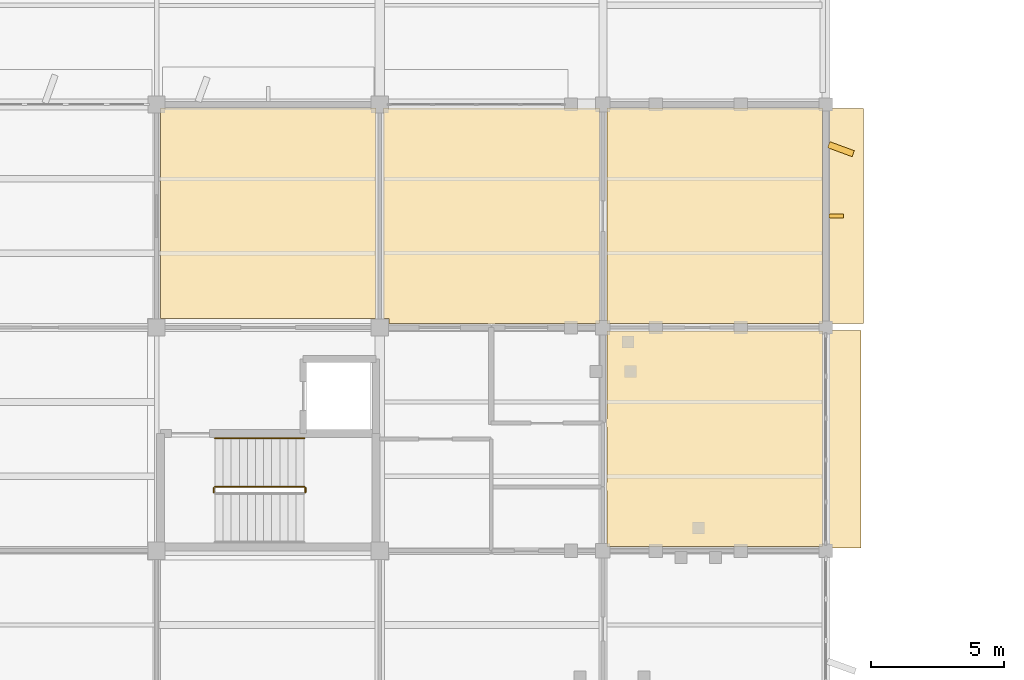
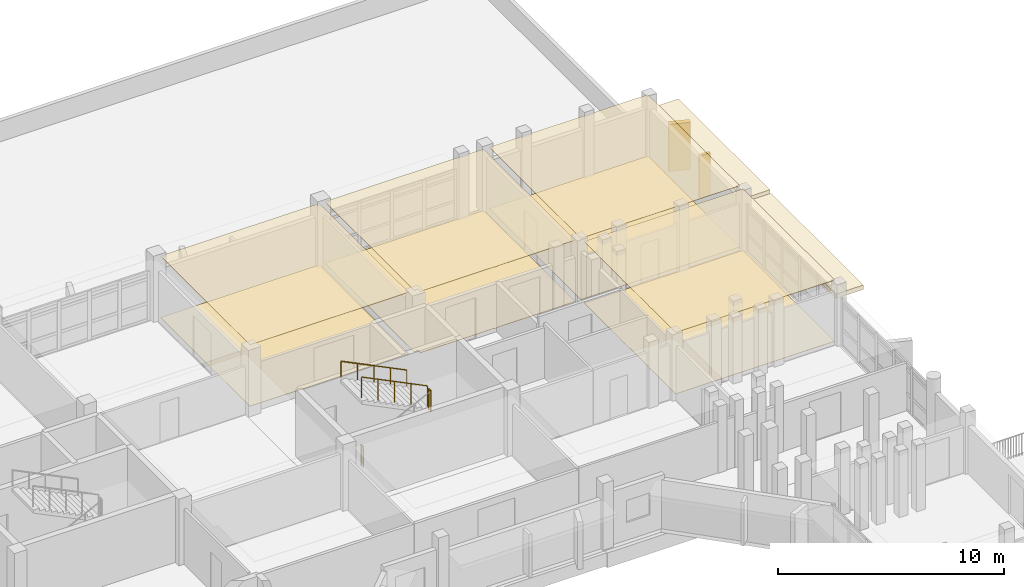
# One storey, part 89 of 92: 11 coverings, 4 railings, 1 shading device.
"""IFC4 building model written with IfcOpenShell, lengths in metres."""

from ifc_helpers import new_model, si_unit, direction, frame, origin, origin_2d, place, context, subcontext, project, spatial, polyline, rectangle, circle, outline, extrude, material, layer, layer_set, type_object, element, save


model = new_model("IFC4")

# Units and contexts
model_context = context("Model", 3, precision=1e-05, world=origin(), true_north=direction((0.0, 1.0)))
body_context = subcontext(model_context, "Body", "Model", "MODEL_VIEW")
ifc_project = project(units=[si_unit("LENGTHUNIT", "METRE"), si_unit("AREAUNIT", "SQUARE_METRE"), si_unit("VOLUMEUNIT", "CUBIC_METRE"), si_unit("PLANEANGLEUNIT", "RADIAN"), si_unit("MASSUNIT", "GRAM", prefix="KILO")], contexts=[model_context])

# Site, building, storey
site_placement = place(None, origin())
site = spatial("IfcSite", under=ifc_project, at=site_placement, CompositionType="ELEMENT")
building_placement = place(site_placement, origin())
building = spatial("IfcBuilding", under=site, at=building_placement, Name="Vanh Quang Courtyard School", CompositionType="ELEMENT")
storey_placement = place(building_placement, frame((0.0, 0.0, 7.800048828125)))
storey = spatial("IfcBuildingStorey", under=building, at=storey_placement, Name="L02", CompositionType="ELEMENT", Elevation=7.800048828125)

# Coverings
ifc_material_1 = material(Name="Perforated mineral-fibre acoustic ceiling board")
ifc_layer_1 = layer(ifc_material_1, 0.02490234375)
ifc_layer_set_1 = layer_set([ifc_layer_1], Name="Perforated mineral-fibre acoustic ceiling board")
covering_type_1 = type_object("IfcCoveringType", Name="COV-CEIL-ACOUSTIC", PredefinedType="CEILING", material=ifc_layer_set_1)
covering_1_placement = place(storey_placement, frame((0.0, 0.0, 3.31494140625)))
element("IfcCovering", 1, at=covering_1_placement, inside=storey, type_object=covering_type_1, Name="Covering CV-CL1 (L02)", PredefinedType="CEILING", context=body_context, shape_type="SweptSolid", body=[
    extrude(outline(polyline([(94.35009765625, 96.4599609375), (94.35009765625, 96.4609375), (94.35009765625, 96.4619140625), (94.350341796875, 96.462890625), (94.350830078125, 96.4638671875), (94.351318359375, 96.464599609375), (94.351806640625, 96.465576171875), (94.352294921875, 96.46630859375), (94.352783203125, 96.467041015625), (94.353759765625, 96.4677734375), (94.3544921875, 96.46826171875), (94.355224609375, 96.46875), (94.356201171875, 96.46923828125), (94.357177734375, 96.469482421875), (94.35791015625, 96.4697265625), (94.35888671875, 96.469970703125), (94.360107421875, 96.469970703125), (102.4599609375, 96.469970703125), (102.4609375, 96.469970703125), (102.4619140625, 96.4697265625), (102.462890625, 96.469482421875), (102.4638671875, 96.46923828125), (102.464599609375, 96.46875), (102.465576171875, 96.46826171875), (102.46630859375, 96.4677734375), (102.467041015625, 96.467041015625), (102.4677734375, 96.46630859375), (102.46826171875, 96.465576171875), (102.46875, 96.464599609375), (102.46923828125, 96.4638671875), (102.469482421875, 96.462890625), (102.4697265625, 96.4619140625), (102.469970703125, 96.4609375), (102.469970703125, 96.4599609375), (102.469970703125, 88.550048828125), (94.34912109375, 88.550048828125), (94.35009765625, 96.4599609375)])), origin(), (0.0, 0.0, 1.0), 0.02490234375),
])
covering_2_placement = place(storey_placement, frame((0.0, 0.0, 3.31494140625)))
element("IfcCovering", 2, at=covering_2_placement, inside=storey, type_object=covering_type_1, Name="Covering CV-CL1 (L02)", PredefinedType="CEILING", context=body_context, shape_type="SweptSolid", body=[
    extrude(outline(polyline([(102.949951171875, 88.35009765625), (102.949951171875, 88.550048828125), (102.75, 88.550048828125), (102.75, 96.4599609375), (102.75, 96.4609375), (102.750244140625, 96.4619140625), (102.75048828125, 96.462890625), (102.750732421875, 96.4638671875), (102.751220703125, 96.464599609375), (102.751708984375, 96.465576171875), (102.752197265625, 96.46630859375), (102.7529296875, 96.467041015625), (102.753662109375, 96.4677734375), (102.75439453125, 96.46826171875), (102.75537109375, 96.46875), (102.756103515625, 96.46923828125), (102.757080078125, 96.469482421875), (102.758056640625, 96.4697265625), (102.759033203125, 96.469970703125), (102.760009765625, 96.469970703125), (110.860107421875, 96.469970703125), (110.861083984375, 96.469970703125), (110.862060546875, 96.4697265625), (110.86279296875, 96.469482421875), (110.86376953125, 96.46923828125), (110.86474609375, 96.46875), (110.865478515625, 96.46826171875), (110.8662109375, 96.4677734375), (110.8671875, 96.467041015625), (110.86767578125, 96.46630859375), (110.868408203125, 96.465576171875), (110.868896484375, 96.464599609375), (110.869140625, 96.4638671875), (110.86962890625, 96.462890625), (110.869873046875, 96.4619140625), (110.8701171875, 96.4609375), (110.8701171875, 96.4599609375), (110.8701171875, 88.360107421875), (110.8701171875, 88.35888671875), (110.869873046875, 88.35791015625), (110.86962890625, 88.357177734375), (110.869140625, 88.356201171875), (110.868896484375, 88.355224609375), (110.868408203125, 88.3544921875), (110.86767578125, 88.353759765625), (110.8671875, 88.352783203125), (110.8662109375, 88.352294921875), (110.865478515625, 88.351806640625), (110.86474609375, 88.351318359375), (110.86376953125, 88.350830078125), (110.86279296875, 88.350341796875), (110.862060546875, 88.35009765625), (110.861083984375, 88.35009765625), (110.860107421875, 88.35009765625), (106.9609375, 88.35009765625), (106.8544921875, 88.330078125), (106.853515625, 88.330078125), (106.8525390625, 88.330078125), (106.767333984375, 88.330078125), (106.7666015625, 88.330078125), (106.765625, 88.330078125), (106.6591796875, 88.35009765625), (102.949951171875, 88.35009765625)])), origin(), (0.0, 0.0, 1.0), 0.02490234375),
])
covering_3_placement = place(storey_placement, frame((0.0, 0.0, 3.31494140625)))
element("IfcCovering", 3, at=covering_3_placement, inside=storey, type_object=covering_type_1, Name="Covering CV-CL1 (L02)", PredefinedType="CEILING", context=body_context, shape_type="SweptSolid", body=[
    extrude(outline(polyline([(111.159912109375, 79.949951171875), (111.158935546875, 79.949951171875), (111.157958984375, 79.9501953125), (111.156982421875, 79.950439453125), (111.15625, 79.95068359375), (111.1552734375, 79.951171875), (111.154296875, 79.95166015625), (111.15380859375, 79.952392578125), (111.15283203125, 79.952880859375), (111.15234375, 79.95361328125), (111.151611328125, 79.954345703125), (111.151123046875, 79.955322265625), (111.15087890625, 79.956298828125), (111.150390625, 79.95703125), (111.150146484375, 79.9580078125), (111.14990234375, 79.958984375), (111.14990234375, 79.9599609375), (111.14990234375, 82.05908203125), (111.130126953125, 82.16552734375), (111.1298828125, 82.16650390625), (111.1298828125, 82.16748046875), (111.1298828125, 82.252685546875), (111.1298828125, 82.25341796875), (111.130126953125, 82.25439453125), (111.14990234375, 82.36083984375), (111.14990234375, 84.458984375), (111.130126953125, 84.565673828125), (111.1298828125, 84.56640625), (111.1298828125, 84.5673828125), (111.1298828125, 84.652587890625), (111.1298828125, 84.653564453125), (111.130126953125, 84.654296875), (111.14990234375, 84.760986328125), (111.14990234375, 88.06005859375), (111.14990234375, 88.06103515625), (111.150146484375, 88.06201171875), (111.150390625, 88.06298828125), (111.15087890625, 88.063720703125), (111.151123046875, 88.064697265625), (111.151611328125, 88.065673828125), (111.15234375, 88.06640625), (111.15283203125, 88.067138671875), (111.15380859375, 88.067626953125), (111.154296875, 88.068359375), (111.1552734375, 88.06884765625), (111.15625, 88.069091796875), (111.156982421875, 88.069580078125), (111.157958984375, 88.06982421875), (111.158935546875, 88.070068359375), (111.159912109375, 88.070068359375), (119.260009765625, 88.070068359375), (119.260986328125, 88.070068359375), (119.261962890625, 88.06982421875), (119.262939453125, 88.069580078125), (119.263916015625, 88.069091796875), (119.2646484375, 88.06884765625), (119.265625, 88.068359375), (119.266357421875, 88.067626953125), (119.26708984375, 88.067138671875), (119.267578125, 88.06640625), (119.268310546875, 88.065673828125), (119.268798828125, 88.064697265625), (119.269287109375, 88.063720703125), (119.26953125, 88.06298828125), (119.269775390625, 88.06201171875), (119.27001953125, 88.06103515625), (119.27001953125, 88.06005859375), (119.27001953125, 79.9599609375), (119.27001953125, 79.958984375), (119.269775390625, 79.9580078125), (119.26953125, 79.95703125), (119.269287109375, 79.956298828125), (119.268798828125, 79.955322265625), (119.268310546875, 79.954345703125), (119.267578125, 79.95361328125), (119.26708984375, 79.952880859375), (119.266357421875, 79.952392578125), (119.265625, 79.95166015625), (119.2646484375, 79.951171875), (119.263916015625, 79.95068359375), (119.262939453125, 79.950439453125), (119.261962890625, 79.9501953125), (119.260986328125, 79.949951171875), (119.260009765625, 79.949951171875), (111.159912109375, 79.949951171875)])), origin(), (0.0, 0.0, 1.0), 0.02490234375),
])
covering_4_placement = place(storey_placement, frame((0.0, 0.0, 3.31494140625)))
element("IfcCovering", 4, at=covering_4_placement, inside=storey, type_object=covering_type_1, Name="Covering CV-CL1 (L02)", PredefinedType="CEILING", context=body_context, shape_type="SweptSolid", body=[
    extrude(outline(polyline([(111.159912109375, 88.35009765625), (111.158935546875, 88.35009765625), (111.157958984375, 88.35009765625), (111.156982421875, 88.350341796875), (111.15625, 88.350830078125), (111.1552734375, 88.351318359375), (111.154296875, 88.351806640625), (111.15380859375, 88.352294921875), (111.15283203125, 88.352783203125), (111.15234375, 88.353759765625), (111.151611328125, 88.3544921875), (111.151123046875, 88.355224609375), (111.15087890625, 88.356201171875), (111.150390625, 88.357177734375), (111.150146484375, 88.35791015625), (111.14990234375, 88.35888671875), (111.14990234375, 88.360107421875), (111.14990234375, 96.4599609375), (111.14990234375, 96.4609375), (111.150146484375, 96.4619140625), (111.150390625, 96.462890625), (111.15087890625, 96.4638671875), (111.151123046875, 96.464599609375), (111.151611328125, 96.465576171875), (111.15234375, 96.46630859375), (111.15283203125, 96.467041015625), (111.15380859375, 96.4677734375), (111.154296875, 96.46826171875), (111.1552734375, 96.46875), (111.15625, 96.46923828125), (111.156982421875, 96.469482421875), (111.157958984375, 96.4697265625), (111.158935546875, 96.469970703125), (111.159912109375, 96.469970703125), (119.260009765625, 96.469970703125), (119.260986328125, 96.469970703125), (119.261962890625, 96.4697265625), (119.262939453125, 96.469482421875), (119.263916015625, 96.46923828125), (119.2646484375, 96.46875), (119.265625, 96.46826171875), (119.266357421875, 96.4677734375), (119.26708984375, 96.467041015625), (119.267578125, 96.46630859375), (119.268310546875, 96.465576171875), (119.268798828125, 96.464599609375), (119.269287109375, 96.4638671875), (119.26953125, 96.462890625), (119.269775390625, 96.4619140625), (119.27001953125, 96.4609375), (119.27001953125, 96.4599609375), (119.27001953125, 88.360107421875), (119.27001953125, 88.35888671875), (119.269775390625, 88.35791015625), (119.26953125, 88.357177734375), (119.269287109375, 88.356201171875), (119.268798828125, 88.355224609375), (119.268310546875, 88.3544921875), (119.267578125, 88.353759765625), (119.26708984375, 88.352783203125), (119.266357421875, 88.352294921875), (119.265625, 88.351806640625), (119.2646484375, 88.351318359375), (119.263916015625, 88.350830078125), (119.262939453125, 88.350341796875), (119.261962890625, 88.35009765625), (119.260986328125, 88.35009765625), (119.260009765625, 88.35009765625), (111.159912109375, 88.35009765625)])), origin(), (0.0, 0.0, 1.0), 0.02490234375),
])
ifc_material_2 = material(Name="Polished cementitious terrazzo tile", Category="concrete")
ifc_layer_2 = layer(ifc_material_2, 0.02001953125)
ifc_layer_set_2 = layer_set([ifc_layer_2], Name="Polished cementitious terrazzo tile")
covering_type_2 = type_object("IfcCoveringType", Name="COV-FLR-TERRAZZO", PredefinedType="FLOORING", material=ifc_layer_set_2)
covering_5_placement = place(storey_placement, origin())
element("IfcCovering", 5, at=covering_5_placement, inside=storey, type_object=covering_type_2, Name="Covering CV-FL1 (L02)", PredefinedType="FLOORING", context=body_context, shape_type="SweptSolid", body=[
    extrude(outline(polyline([(94.35009765625, 96.4599609375), (94.35009765625, 96.4609375), (94.35009765625, 96.4619140625), (94.350341796875, 96.462890625), (94.350830078125, 96.4638671875), (94.351318359375, 96.464599609375), (94.351806640625, 96.465576171875), (94.352294921875, 96.46630859375), (94.352783203125, 96.467041015625), (94.353759765625, 96.4677734375), (94.3544921875, 96.46826171875), (94.355224609375, 96.46875), (94.356201171875, 96.46923828125), (94.357177734375, 96.469482421875), (94.35791015625, 96.4697265625), (94.35888671875, 96.469970703125), (94.360107421875, 96.469970703125), (102.4599609375, 96.469970703125), (102.4609375, 96.469970703125), (102.4619140625, 96.4697265625), (102.462890625, 96.469482421875), (102.4638671875, 96.46923828125), (102.464599609375, 96.46875), (102.465576171875, 96.46826171875), (102.46630859375, 96.4677734375), (102.467041015625, 96.467041015625), (102.4677734375, 96.46630859375), (102.46826171875, 96.465576171875), (102.46875, 96.464599609375), (102.46923828125, 96.4638671875), (102.469482421875, 96.462890625), (102.4697265625, 96.4619140625), (102.469970703125, 96.4609375), (102.469970703125, 96.4599609375), (102.469970703125, 88.550048828125), (94.34912109375, 88.550048828125), (94.35009765625, 96.4599609375)])), origin(), (0.0, 0.0, 1.0), 0.02001953125),
])
covering_6_placement = place(storey_placement, origin())
element("IfcCovering", 6, at=covering_6_placement, inside=storey, type_object=covering_type_2, Name="Covering CV-FL1 (L02)", PredefinedType="FLOORING", context=body_context, shape_type="SweptSolid", body=[
    extrude(outline(polyline([(102.949951171875, 88.35009765625), (102.949951171875, 88.550048828125), (102.75, 88.550048828125), (102.75, 96.4599609375), (102.75, 96.4609375), (102.750244140625, 96.4619140625), (102.75048828125, 96.462890625), (102.750732421875, 96.4638671875), (102.751220703125, 96.464599609375), (102.751708984375, 96.465576171875), (102.752197265625, 96.46630859375), (102.7529296875, 96.467041015625), (102.753662109375, 96.4677734375), (102.75439453125, 96.46826171875), (102.75537109375, 96.46875), (102.756103515625, 96.46923828125), (102.757080078125, 96.469482421875), (102.758056640625, 96.4697265625), (102.759033203125, 96.469970703125), (102.760009765625, 96.469970703125), (110.860107421875, 96.469970703125), (110.861083984375, 96.469970703125), (110.862060546875, 96.4697265625), (110.86279296875, 96.469482421875), (110.86376953125, 96.46923828125), (110.86474609375, 96.46875), (110.865478515625, 96.46826171875), (110.8662109375, 96.4677734375), (110.8671875, 96.467041015625), (110.86767578125, 96.46630859375), (110.868408203125, 96.465576171875), (110.868896484375, 96.464599609375), (110.869140625, 96.4638671875), (110.86962890625, 96.462890625), (110.869873046875, 96.4619140625), (110.8701171875, 96.4609375), (110.8701171875, 96.4599609375), (110.8701171875, 88.360107421875), (110.8701171875, 88.35888671875), (110.869873046875, 88.35791015625), (110.86962890625, 88.357177734375), (110.869140625, 88.356201171875), (110.868896484375, 88.355224609375), (110.868408203125, 88.3544921875), (110.86767578125, 88.353759765625), (110.8671875, 88.352783203125), (110.8662109375, 88.352294921875), (110.865478515625, 88.351806640625), (110.86474609375, 88.351318359375), (110.86376953125, 88.350830078125), (110.86279296875, 88.350341796875), (110.862060546875, 88.35009765625), (110.861083984375, 88.35009765625), (110.860107421875, 88.35009765625), (106.9609375, 88.35009765625), (106.8544921875, 88.330078125), (106.853515625, 88.330078125), (106.8525390625, 88.330078125), (106.767333984375, 88.330078125), (106.7666015625, 88.330078125), (106.765625, 88.330078125), (106.6591796875, 88.35009765625), (102.949951171875, 88.35009765625)])), origin(), (0.0, 0.0, 1.0), 0.02001953125),
])
covering_7_placement = place(storey_placement, origin())
element("IfcCovering", 7, at=covering_7_placement, inside=storey, type_object=covering_type_2, Name="Covering CV-FL1 (L02)", PredefinedType="FLOORING", context=body_context, shape_type="SweptSolid", body=[
    extrude(outline(polyline([(111.159912109375, 79.949951171875), (111.158935546875, 79.949951171875), (111.157958984375, 79.9501953125), (111.156982421875, 79.950439453125), (111.15625, 79.95068359375), (111.1552734375, 79.951171875), (111.154296875, 79.95166015625), (111.15380859375, 79.952392578125), (111.15283203125, 79.952880859375), (111.15234375, 79.95361328125), (111.151611328125, 79.954345703125), (111.151123046875, 79.955322265625), (111.15087890625, 79.956298828125), (111.150390625, 79.95703125), (111.150146484375, 79.9580078125), (111.14990234375, 79.958984375), (111.14990234375, 79.9599609375), (111.14990234375, 82.05908203125), (111.130126953125, 82.16552734375), (111.1298828125, 82.16650390625), (111.1298828125, 82.16748046875), (111.1298828125, 82.252685546875), (111.1298828125, 82.25341796875), (111.130126953125, 82.25439453125), (111.14990234375, 82.36083984375), (111.14990234375, 84.458984375), (111.130126953125, 84.565673828125), (111.1298828125, 84.56640625), (111.1298828125, 84.5673828125), (111.1298828125, 84.652587890625), (111.1298828125, 84.653564453125), (111.130126953125, 84.654296875), (111.14990234375, 84.760986328125), (111.14990234375, 88.06005859375), (111.14990234375, 88.06103515625), (111.150146484375, 88.06201171875), (111.150390625, 88.06298828125), (111.15087890625, 88.063720703125), (111.151123046875, 88.064697265625), (111.151611328125, 88.065673828125), (111.15234375, 88.06640625), (111.15283203125, 88.067138671875), (111.15380859375, 88.067626953125), (111.154296875, 88.068359375), (111.1552734375, 88.06884765625), (111.15625, 88.069091796875), (111.156982421875, 88.069580078125), (111.157958984375, 88.06982421875), (111.158935546875, 88.070068359375), (111.159912109375, 88.070068359375), (119.260009765625, 88.070068359375), (119.260986328125, 88.070068359375), (119.261962890625, 88.06982421875), (119.262939453125, 88.069580078125), (119.263916015625, 88.069091796875), (119.2646484375, 88.06884765625), (119.265625, 88.068359375), (119.266357421875, 88.067626953125), (119.26708984375, 88.067138671875), (119.267578125, 88.06640625), (119.268310546875, 88.065673828125), (119.268798828125, 88.064697265625), (119.269287109375, 88.063720703125), (119.26953125, 88.06298828125), (119.269775390625, 88.06201171875), (119.27001953125, 88.06103515625), (119.27001953125, 88.06005859375), (119.27001953125, 79.9599609375), (119.27001953125, 79.958984375), (119.269775390625, 79.9580078125), (119.26953125, 79.95703125), (119.269287109375, 79.956298828125), (119.268798828125, 79.955322265625), (119.268310546875, 79.954345703125), (119.267578125, 79.95361328125), (119.26708984375, 79.952880859375), (119.266357421875, 79.952392578125), (119.265625, 79.95166015625), (119.2646484375, 79.951171875), (119.263916015625, 79.95068359375), (119.262939453125, 79.950439453125), (119.261962890625, 79.9501953125), (119.260986328125, 79.949951171875), (119.260009765625, 79.949951171875), (111.159912109375, 79.949951171875)])), origin(), (0.0, 0.0, 1.0), 0.02001953125),
])
covering_8_placement = place(storey_placement, origin())
element("IfcCovering", 8, at=covering_8_placement, inside=storey, type_object=covering_type_2, Name="Covering CV-FL1 (L02)", PredefinedType="FLOORING", context=body_context, shape_type="SweptSolid", body=[
    extrude(outline(polyline([(111.159912109375, 88.35009765625), (111.158935546875, 88.35009765625), (111.157958984375, 88.35009765625), (111.156982421875, 88.350341796875), (111.15625, 88.350830078125), (111.1552734375, 88.351318359375), (111.154296875, 88.351806640625), (111.15380859375, 88.352294921875), (111.15283203125, 88.352783203125), (111.15234375, 88.353759765625), (111.151611328125, 88.3544921875), (111.151123046875, 88.355224609375), (111.15087890625, 88.356201171875), (111.150390625, 88.357177734375), (111.150146484375, 88.35791015625), (111.14990234375, 88.35888671875), (111.14990234375, 88.360107421875), (111.14990234375, 96.4599609375), (111.14990234375, 96.4609375), (111.150146484375, 96.4619140625), (111.150390625, 96.462890625), (111.15087890625, 96.4638671875), (111.151123046875, 96.464599609375), (111.151611328125, 96.465576171875), (111.15234375, 96.46630859375), (111.15283203125, 96.467041015625), (111.15380859375, 96.4677734375), (111.154296875, 96.46826171875), (111.1552734375, 96.46875), (111.15625, 96.46923828125), (111.156982421875, 96.469482421875), (111.157958984375, 96.4697265625), (111.158935546875, 96.469970703125), (111.159912109375, 96.469970703125), (119.260009765625, 96.469970703125), (119.260986328125, 96.469970703125), (119.261962890625, 96.4697265625), (119.262939453125, 96.469482421875), (119.263916015625, 96.46923828125), (119.2646484375, 96.46875), (119.265625, 96.46826171875), (119.266357421875, 96.4677734375), (119.26708984375, 96.467041015625), (119.267578125, 96.46630859375), (119.268310546875, 96.465576171875), (119.268798828125, 96.464599609375), (119.269287109375, 96.4638671875), (119.26953125, 96.462890625), (119.269775390625, 96.4619140625), (119.27001953125, 96.4609375), (119.27001953125, 96.4599609375), (119.27001953125, 88.360107421875), (119.27001953125, 88.35888671875), (119.269775390625, 88.35791015625), (119.26953125, 88.357177734375), (119.269287109375, 88.356201171875), (119.268798828125, 88.355224609375), (119.268310546875, 88.3544921875), (119.267578125, 88.353759765625), (119.26708984375, 88.352783203125), (119.266357421875, 88.352294921875), (119.265625, 88.351806640625), (119.2646484375, 88.351318359375), (119.263916015625, 88.350830078125), (119.262939453125, 88.350341796875), (119.261962890625, 88.35009765625), (119.260986328125, 88.35009765625), (119.260009765625, 88.35009765625), (111.159912109375, 88.35009765625)])), origin(), (0.0, 0.0, 1.0), 0.02001953125),
])
ifc_material_3 = material(Name="Board-marked precast concrete C40/50", Category="concrete")
ifc_layer_3 = layer(ifc_material_3, 0.239990234375)
ifc_layer_set_3 = layer_set([ifc_layer_3], Name="Board-marked precast concrete C40/50")
covering_type_3 = type_object("IfcCoveringType", Name="COV-HOOD-CONC", PredefinedType="CLADDING", material=ifc_layer_set_3)
covering_9_placement = place(storey_placement, frame((120.139892578125, 92.39990234375, 2.33984375), z_axis=(0.0, 0.0, 1.0), x_axis=(0.0, -1.0, 0.0)))
element("IfcCovering", 9, at=covering_9_placement, inside=storey, type_object=covering_type_3, Name="Covering CH-01 (L02)", PredefinedType="CLADDING", context=body_context, shape_type="SweptSolid", body=[
    extrude(rectangle(XDim=8.10400390625, YDim=1.35009765625, at=origin_2d()), origin(), (0.0, 0.0, 1.0), 0.239990234375),
])
covering_10_placement = place(storey_placement, frame((119.969970703125, 94.91748046875, 0.0), z_axis=(0.0, 0.0, 1.0), x_axis=(0.938009980858, -0.346608245445, 0.0)))
element("IfcCovering", 10, at=covering_10_placement, inside=storey, type_object=covering_type_3, Name="Covering CH-01 (L02)", PredefinedType="CLADDING", context=body_context, shape_type="SweptSolid", body=[
    extrude(rectangle(XDim=0.980712890625, YDim=0.239990234375, at=origin_2d()), origin(), (0.0, 0.0, 1.0), 2.56005859375),
])
covering_11_placement = place(storey_placement, frame((120.02001953125, 84.0, 2.33984375), z_axis=(0.0, 0.0, 1.0), x_axis=(0.0, -1.0, 0.0)))
element("IfcCovering", 11, at=covering_11_placement, inside=storey, type_object=covering_type_3, Name="Covering CH-01 (L02)", PredefinedType="CLADDING", context=body_context, shape_type="SweptSolid", body=[
    extrude(rectangle(XDim=8.18408203125, YDim=1.39990234375, at=origin_2d()), origin(), (0.0, 0.0, 1.0), 0.239990234375),
])

# Railings
ifc_material_4 = material(Name="Galvanised painted steel EN 10025-2 S355J2", Category="steel")
railing_type_1 = type_object("IfcRailingType", Name="RAIL-GUARD-1150", PredefinedType="BALUSTRADE", material=ifc_material_4)
railing_1_placement = place(storey_placement, frame((99.804931640625, 82.0, 1.800048828125)))
element("IfcRailing", 12, at=railing_1_placement, inside=storey, type_object=railing_type_1, Name="L02 ST-02 stair guard 2", PredefinedType="BALUSTRADE", context=body_context, shape_type="SweptSolid", body=[
    extrude(circle(Radius=0.02392578125, at=origin_2d()), frame((0.0, 0.0, 1.1259765625), z_axis=(0.0, 1.0, 0.0), x_axis=(-1.0, 0.0, 0.0)), (0.0, 0.0, 1.0), 0.159912109375),
    extrude(circle(Radius=0.02099609375, at=origin_2d()), origin(), (0.0, 0.0, 1.0), 1.101806640625),
    extrude(circle(Radius=0.02099609375, at=origin_2d()), frame((0.0, 0.159912109375, 0.0)), (0.0, 0.0, 1.0), 1.101806640625),
])
railing_2_placement = place(storey_placement, frame((99.7548828125, 82.2099609375, 1.949951171875)))
element("IfcRailing", 13, at=railing_2_placement, inside=storey, type_object=railing_type_1, Name="L02 ST-02 stair guard 3", PredefinedType="BALUSTRADE", context=body_context, shape_type="SweptSolid", body=[
    extrude(circle(Radius=0.02392578125, at=origin_2d()), frame((0.0, 0.0, 1.1259765625), z_axis=(-0.897359292542, 0.0, 0.441300691239), x_axis=(0.0, -1.0, 0.0)), (0.0, 0.0, 1.0), 3.73876953125),
    extrude(circle(Radius=0.02099609375, at=origin_2d()), origin(), (0.0, 0.0, 1.0), 1.101806640625),
    extrude(circle(Radius=0.02099609375, at=origin_2d()), frame((-0.8388671875, 0.0, 0.41259765625)), (0.0, 0.0, 1.0), 1.101806640625),
    extrude(circle(Radius=0.02099609375, at=origin_2d()), frame((-1.677490234375, 0.0, 0.824951171875)), (0.0, 0.0, 1.0), 1.101806640625),
    extrude(circle(Radius=0.02099609375, at=origin_2d()), frame((-2.51611328125, 0.0, 1.2373046875)), (0.0, 0.0, 1.0), 1.101806640625),
    extrude(circle(Radius=0.02099609375, at=origin_2d()), frame((-3.35498046875, 0.0, 1.64990234375)), (0.0, 0.0, 1.0), 1.101806640625),
])
railing_3_placement = place(storey_placement, frame((96.35009765625, 82.0, 0.0)))
element("IfcRailing", 14, at=railing_3_placement, inside=storey, type_object=railing_type_1, Name="L02 ST-02 stair guard 4", PredefinedType="BALUSTRADE", context=body_context, shape_type="SweptSolid", body=[
    extrude(circle(Radius=0.02392578125, at=origin_2d()), frame((0.0, 0.0, 1.1259765625), z_axis=(0.0, 1.0, 0.0), x_axis=(-1.0, 0.0, 0.0)), (0.0, 0.0, 1.0), 0.159912109375),
    extrude(circle(Radius=0.02099609375, at=origin_2d()), origin(), (0.0, 0.0, 1.0), 1.101806640625),
    extrude(circle(Radius=0.02099609375, at=origin_2d()), frame((0.0, 0.159912109375, 0.0)), (0.0, 0.0, 1.0), 1.101806640625),
])
ifc_material_5 = material(Name="Brushed stainless steel", Category="steel")
railing_type_2 = type_object("IfcRailingType", Name="RAIL-HAND-900", PredefinedType="HANDRAIL", material=ifc_material_5)
railing_4_placement = place(storey_placement, frame((99.7548828125, 84.030029296875, 1.949951171875)))
element("IfcRailing", 15, at=railing_4_placement, inside=storey, type_object=railing_type_2, Name="L02 ST-02 stair handrail 2", PredefinedType="HANDRAIL", context=body_context, shape_type="SweptSolid", body=[
    extrude(circle(Radius=0.02392578125, at=origin_2d()), frame((0.0, 0.0, 0.8759765625), z_axis=(-0.897359292542, 0.0, 0.441300691239), x_axis=(0.0, -1.0, 0.0)), (0.0, 0.0, 1.0), 3.73876953125),
    extrude(circle(Radius=0.02099609375, at=origin_2d()), origin(), (0.0, 0.0, 1.0), 0.851806640625),
    extrude(circle(Radius=0.02099609375, at=origin_2d()), frame((-0.8388671875, 0.0, 0.41259765625)), (0.0, 0.0, 1.0), 0.851806640625),
    extrude(circle(Radius=0.02099609375, at=origin_2d()), frame((-1.677490234375, 0.0, 0.824951171875)), (0.0, 0.0, 1.0), 0.851806640625),
    extrude(circle(Radius=0.02099609375, at=origin_2d()), frame((-2.51611328125, 0.0, 1.2373046875)), (0.0, 0.0, 1.0), 0.851806640625),
    extrude(circle(Radius=0.02099609375, at=origin_2d()), frame((-3.35498046875, 0.0, 1.64990234375)), (0.0, 0.0, 1.0), 0.851806640625),
])

# Shading device
shading_device_type = type_object("IfcShadingDeviceType", Name="SHD-FIN-CONCRETE", PredefinedType="USERDEFINED", material=ifc_material_3)
shading_device_placement = place(storey_placement, frame((119.794921875, 92.39990234375, 0.14990234375), z_axis=(0.0, 0.0, 1.0), x_axis=(0.0, -1.0, 0.0)))
element("IfcShadingDevice", 16, at=shading_device_placement, inside=storey, type_object=shading_device_type, Name="Solar Shading SH-02 (L02)", ObjectType="Solar Shading SH-02 (L02)", PredefinedType="USERDEFINED", context=body_context, shape_type="SweptSolid", body=[
    extrude(rectangle(XDim=0.139892578125, YDim=0.550048828125, at=origin_2d()), origin(), (0.0, 0.0, 1.0), 2.280029296875),
])

save(model, "model.ifc")
